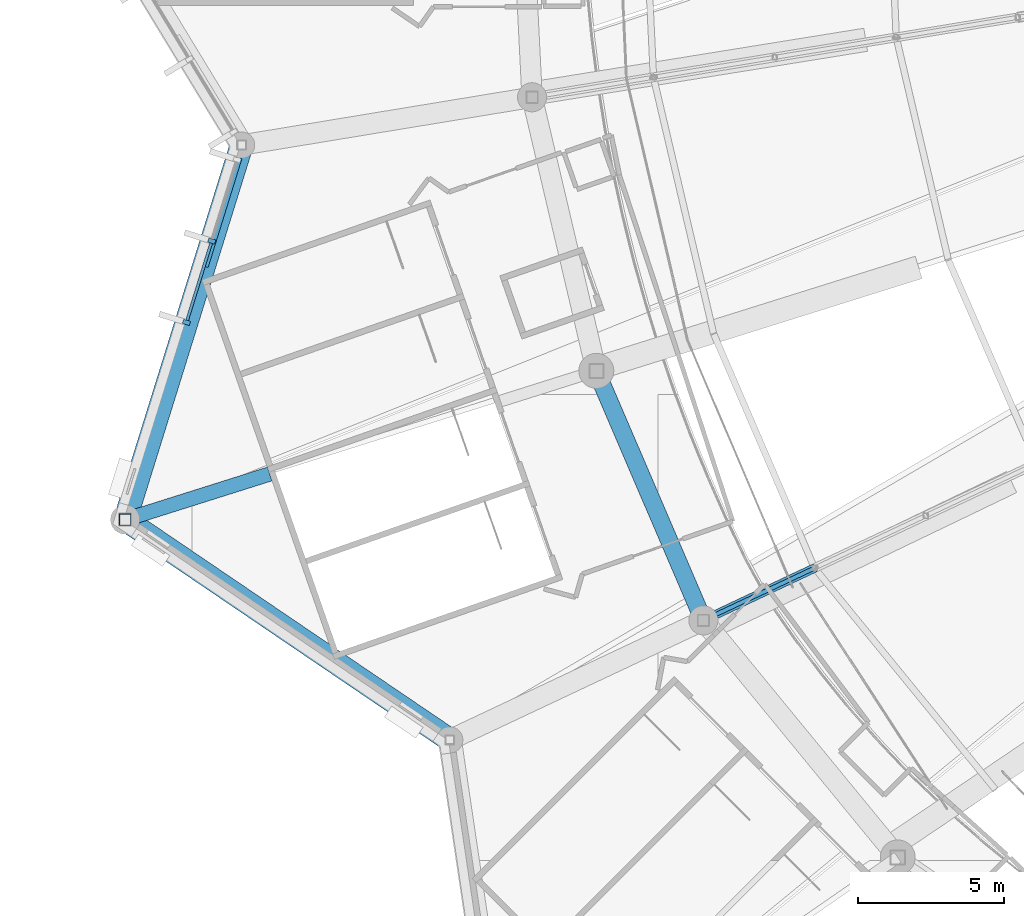
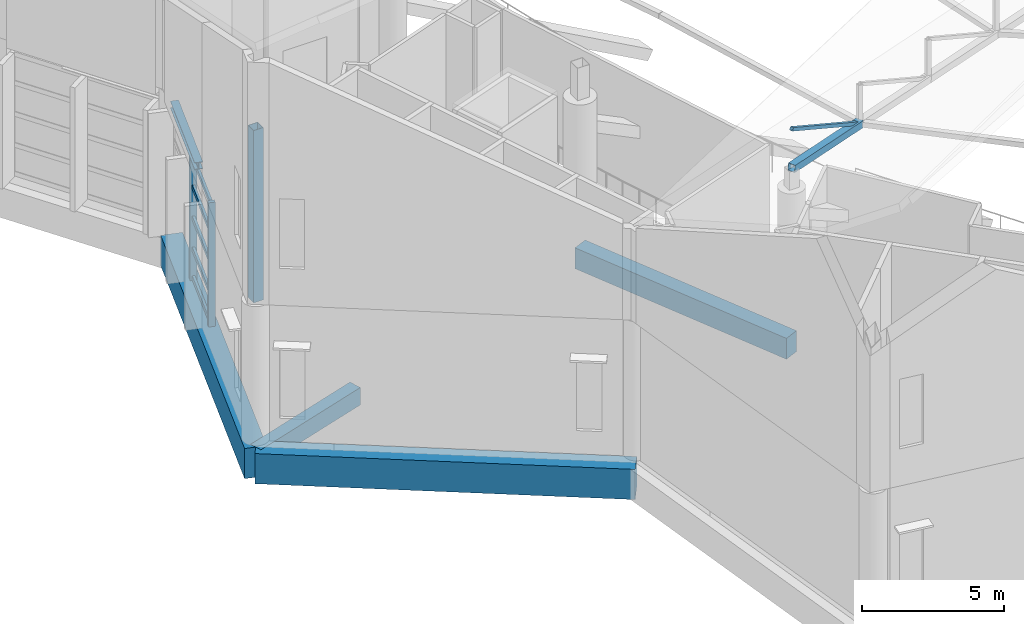
# One storey, part 14 of 344: 10 members, 5 beams, 1 element without a shape of its own.
"""IFC4 building model written with IfcOpenShell, lengths in metres."""

from ifc_helpers import new_model, si_unit, direction, frame, origin, origin_2d, place, context, subcontext, project, spatial, rectangle, hollow_rectangle, i_section, extrude, material, layer, layer_set, material_profile, profile_set, type_object, element, aggregate, save


model = new_model("IFC4")

# Units and contexts
model_context = context("Model", 3, precision=1e-05, world=origin(), true_north=direction((0.0, 1.0)))
body_context = subcontext(model_context, "Body", "Model", "MODEL_VIEW")
ifc_project = project(units=[si_unit("LENGTHUNIT", "METRE"), si_unit("AREAUNIT", "SQUARE_METRE"), si_unit("VOLUMEUNIT", "CUBIC_METRE"), si_unit("PLANEANGLEUNIT", "RADIAN"), si_unit("MASSUNIT", "GRAM", prefix="KILO")], contexts=[model_context])

# Site, building, storey
site_placement = place(None, origin())
site = spatial("IfcSite", under=ifc_project, at=site_placement, CompositionType="ELEMENT")
building_placement = place(site_placement, origin())
building = spatial("IfcBuilding", under=site, at=building_placement, Name="Meseta Stadium", CompositionType="ELEMENT")
storey_placement = place(building_placement, frame((0.0, 0.0, 24.0)))
storey = spatial("IfcBuildingStorey", under=building, at=storey_placement, Name="L04", CompositionType="ELEMENT", Elevation=24.0)

# Beam
ifc_material_1 = material(Name="Steel S355", Category="steel")
ifc_material_profile_1 = material_profile(ifc_material_1, i_section(OverallWidth=0.300048828125, OverallDepth=0.300048828125, WebThickness=0.010986328125, FlangeThickness=0.01904296875, FilletRadius=0.027099609375, at=origin_2d()), Name="HEB 300")
ifc_profile_set_1 = profile_set([ifc_material_profile_1], Name="Steel S355")
beam_type_1 = type_object("IfcBeamType", Name="Atrium lintel beam HEB 300", PredefinedType="BEAM", material=ifc_profile_set_1)
beam_1_placement = place(storey_placement, frame((-94.427978515625, -55.87109375, 5.5), z_axis=(-0.296855994895, -0.954922257723, 0.0), x_axis=(0.954922257723, -0.296855994895, 0.0)))
element("IfcBeam", 1, at=beam_1_placement, inside=storey, type_object=beam_type_1, Name="Atrium lintel beam F37", PredefinedType="BEAM", context=body_context, shape_type="SweptSolid", body=[
    extrude(i_section(OverallWidth=0.300048828125, OverallDepth=0.300048828125, WebThickness=0.010986328125, FlangeThickness=0.01904296875, FilletRadius=0.027099609375, at=origin_2d()), origin(), (0.0, 0.0, 1.0), 3.89990234375),
])

# Curtain wall, members
ifc_material_2 = material(Name="Steel S355", Category="steel")
ifc_layer = layer(ifc_material_2, 0.300048828125)
ifc_layer_set = layer_set([ifc_layer], Name="Valley atrium curtain wall")
curtain_wall_type = type_object("IfcCurtainWallType", Name="Valley atrium curtain wall", PredefinedType="NOTDEFINED", material=ifc_layer_set)
curtain_wall_placement = place(storey_placement, origin())
curtain_wall = element("IfcCurtainWall", 2, at=curtain_wall_placement, inside=storey, type_object=curtain_wall_type, Name="Valley atrium glazing F37", PredefinedType="NOTDEFINED")
ifc_material_3 = material(Name="Steel S355", Category="steel")
ifc_material_profile_2 = material_profile(ifc_material_3, rectangle(XDim=0.25, YDim=0.14990234375, at=origin_2d()), Name="CW 250x150")
ifc_profile_set_2 = profile_set([ifc_material_profile_2], Name="Steel S355")
member_type_1 = type_object("IfcMemberType", Name="CW mullion bar 250x150", PredefinedType="MULLION", material=ifc_profile_set_2)
member_1_placement = place(storey_placement, frame((-95.318603515625, -58.73583984375, 0.0), z_axis=(0.0, 0.0, 1.0), x_axis=(0.95491821847, -0.296868987995, 0.0)))
member_1 = element("IfcMember", 3, at=member_1_placement, type_object=member_type_1, Name="CWA mullion 2", PredefinedType="MULLION", context=body_context, shape_type="SweptSolid", body=[
    extrude(rectangle(XDim=0.25, YDim=0.14990234375, at=origin_2d()), origin(), (0.0, 0.0, 1.0), 5.35009765625),
])
member_2_placement = place(storey_placement, frame((-96.18701171875, -61.529052734375, 0.0), z_axis=(0.0, 0.0, 1.0), x_axis=(0.95491821847, -0.296868987995, 0.0)))
member_2 = element("IfcMember", 4, at=member_2_placement, type_object=member_type_1, Name="CWA mullion 3", PredefinedType="MULLION", context=body_context, shape_type="SweptSolid", body=[
    extrude(rectangle(XDim=0.25, YDim=0.14990234375, at=origin_2d()), origin(), (0.0, 0.0, 1.0), 5.35009765625),
])
ifc_material_4 = material(Name="Steel S355", Category="steel")
ifc_material_profile_3 = material_profile(ifc_material_4, hollow_rectangle(XDim=0.10009765625, YDim=0.199951171875, WallThickness=0.008056640625, at=origin_2d()), Name="RHS 200x100x8")
ifc_profile_set_3 = profile_set([ifc_material_profile_3], Name="Steel S355")
member_type_2 = type_object("IfcMemberType", Name="CW transom RHS 200x100x8", PredefinedType="USERDEFINED", material=ifc_profile_set_3)
member_3_placement = place(storey_placement, frame((-95.3408203125, -58.807373046875, 0.10009765625), z_axis=(-0.296841941866, -0.954926626265, 0.0), x_axis=(0.954926626265, -0.296841941866, 0.0)))
member_3 = element("IfcMember", 5, at=member_3_placement, type_object=member_type_2, Name="CWA transom 2.1", ObjectType="TRANSOM", PredefinedType="USERDEFINED", context=body_context, shape_type="SweptSolid", body=[
    extrude(hollow_rectangle(XDim=0.10009765625, YDim=0.199951171875, WallThickness=0.008056640625, at=origin_2d()), origin(), (0.0, 0.0, 1.0), 2.77490234375),
])
member_4_placement = place(storey_placement, frame((-95.3408203125, -58.807373046875, 1.33740234375), z_axis=(-0.296841941866, -0.954926626265, 0.0), x_axis=(0.954926626265, -0.296841941866, 0.0)))
member_4 = element("IfcMember", 6, at=member_4_placement, type_object=member_type_2, Name="CWA transom 2.2", ObjectType="TRANSOM", PredefinedType="USERDEFINED", context=body_context, shape_type="SweptSolid", body=[
    extrude(hollow_rectangle(XDim=0.10009765625, YDim=0.199951171875, WallThickness=0.008056640625, at=origin_2d()), origin(), (0.0, 0.0, 1.0), 2.77490234375),
])
member_5_placement = place(storey_placement, frame((-95.3408203125, -58.807373046875, 2.675048828125), z_axis=(-0.296841941866, -0.954926626265, 0.0), x_axis=(0.954926626265, -0.296841941866, 0.0)))
member_5 = element("IfcMember", 7, at=member_5_placement, type_object=member_type_2, Name="CWA transom 2.3", ObjectType="TRANSOM", PredefinedType="USERDEFINED", context=body_context, shape_type="SweptSolid", body=[
    extrude(hollow_rectangle(XDim=0.10009765625, YDim=0.199951171875, WallThickness=0.008056640625, at=origin_2d()), origin(), (0.0, 0.0, 1.0), 2.77490234375),
])
member_6_placement = place(storey_placement, frame((-95.3408203125, -58.807373046875, 4.012451171875), z_axis=(-0.296841941866, -0.954926626265, 0.0), x_axis=(0.954926626265, -0.296841941866, 0.0)))
member_6 = element("IfcMember", 8, at=member_6_placement, type_object=member_type_2, Name="CWA transom 2.4", ObjectType="TRANSOM", PredefinedType="USERDEFINED", context=body_context, shape_type="SweptSolid", body=[
    extrude(hollow_rectangle(XDim=0.10009765625, YDim=0.199951171875, WallThickness=0.008056640625, at=origin_2d()), origin(), (0.0, 0.0, 1.0), 2.77490234375),
])
member_7_placement = place(storey_placement, frame((-95.3408203125, -58.807373046875, 5.25), z_axis=(-0.296841941866, -0.954926626265, 0.0), x_axis=(0.954926626265, -0.296841941866, 0.0)))
member_7 = element("IfcMember", 9, at=member_7_placement, type_object=member_type_2, Name="CWA transom 2.5", ObjectType="TRANSOM", PredefinedType="USERDEFINED", context=body_context, shape_type="SweptSolid", body=[
    extrude(hollow_rectangle(XDim=0.10009765625, YDim=0.199951171875, WallThickness=0.008056640625, at=origin_2d()), origin(), (0.0, 0.0, 1.0), 2.77490234375),
])
aggregate(curtain_wall, [member_1, member_2, member_3, member_4, member_5, member_6, member_7])

# Beams
ifc_material_5 = material(Name="Concrete C40/50", Category="concrete")
ifc_material_profile_4 = material_profile(ifc_material_5, rectangle(XDim=0.5, YDim=0.75, at=origin_2d()), Name="RC 500x750")
ifc_profile_set_4 = profile_set([ifc_material_profile_4], Name="Concrete C40/50")
beam_type_2 = type_object("IfcBeamType", Name="RC beam 500x750", PredefinedType="BEAM", material=ifc_profile_set_4)
beam_2_placement = place(storey_placement, frame((-93.330078125, -66.73095703125, -0.77490234375), z_axis=(-0.953580537384, -0.301138105728, 0.0), x_axis=(0.301138105728, -0.953580537384, 0.0)))
element("IfcBeam", 10, at=beam_2_placement, inside=storey, type_object=beam_type_2, Name="L04 radial beam frame 38 line P to R", PredefinedType="BEAM", context=body_context, shape_type="SweptSolid", body=[
    extrude(rectangle(XDim=0.5, YDim=0.75, at=origin_2d()), origin(), (0.0, 0.0, 1.0), 5.202392578125),
])
ifc_material_6 = material(Name="Concrete C40/50", Category="concrete")
ifc_material_profile_5 = material_profile(ifc_material_6, rectangle(XDim=0.60009765625, YDim=0.89990234375, at=origin_2d()), Name="RC 600x900")
ifc_profile_set_5 = profile_set([ifc_material_profile_5], Name="Concrete C40/50")
beam_type_3 = type_object("IfcBeamType", Name="RC beam 600x900", PredefinedType="BEAM", material=ifc_profile_set_5)
beam_3_placement = place(storey_placement, frame((-82.119873046875, -63.191162109375, -0.85009765625), z_axis=(0.394270200779, -0.918994564063, 0.0), x_axis=(0.918994564063, 0.394270200779, 0.0)))
element("IfcBeam", 11, at=beam_3_placement, inside=storey, type_object=beam_type_3, Name="L04 ring beam frame 38 line P", PredefinedType="BEAM", context=body_context, shape_type="SweptSolid", body=[
    extrude(rectangle(XDim=0.60009765625, YDim=0.89990234375, at=origin_2d()), origin(), (0.0, 0.0, 1.0), 9.31982421875),
])
ifc_material_7 = material(Name="Concrete C40/50", Category="concrete")
ifc_material_profile_6 = material_profile(ifc_material_7, rectangle(XDim=0.800048828125, YDim=1.300048828125, at=origin_2d()), Name="RC 800x1300")
ifc_profile_set_6 = profile_set([ifc_material_profile_6], Name="Concrete C40/50")
beam_type_4 = type_object("IfcBeamType", Name="RC beam 800x1300", PredefinedType="BEAM", material=ifc_profile_set_6)
beam_4_placement = place(storey_placement, frame((-94.29443359375, -55.44140625, -1.050048828125), z_axis=(-0.296854913016, -0.954922594045, 0.0), x_axis=(0.954922594045, -0.296854913016, 0.0)))
element("IfcBeam", 12, at=beam_4_placement, inside=storey, type_object=beam_type_4, Name="L04 ring beam frame 37 line R", PredefinedType="BEAM", context=body_context, shape_type="SweptSolid", body=[
    extrude(rectangle(XDim=0.800048828125, YDim=1.300048828125, at=origin_2d()), origin(), (0.0, 0.0, 1.0), 13.463134765625),
])
beam_5_placement = place(storey_placement, frame((-98.291015625, -68.297607421875, -1.050048828125), z_axis=(0.827486005705, -0.561486340317, 0.0), x_axis=(0.561486340317, 0.827486005705, 0.0)))
element("IfcBeam", 13, at=beam_5_placement, inside=storey, type_object=beam_type_4, Name="L04 ring beam frame 38 line R", PredefinedType="BEAM", context=body_context, shape_type="SweptSolid", body=[
    extrude(rectangle(XDim=0.800048828125, YDim=1.300048828125, at=origin_2d()), origin(), (0.0, 0.0, 1.0), 13.462646484375),
])

# Members
ifc_material_8 = material(Name="Steel S355", Category="steel")
ifc_material_profile_7 = material_profile(ifc_material_8, hollow_rectangle(XDim=0.139892578125, YDim=0.139892578125, WallThickness=0.0048828125, at=origin_2d()), Name="SHS 140x140x5")
ifc_profile_set_7 = profile_set([ifc_material_profile_7], Name="Steel S355")
member_type_3 = type_object("IfcMemberType", Name="SHS 140x140x5 diagonal", PredefinedType="BRACE", material=ifc_profile_set_7)
member_8_placement = place(storey_placement, frame((-74.630126953125, -69.958740234375, 6.298583984375), z_axis=(-0.804671329976, -0.379086858084, 0.456943327715), x_axis=(0.426181724525, -0.904637572556, 0.0)))
element("IfcMember", 14, at=member_8_placement, inside=storey, type_object=member_type_3, Name="ROOF TRUSS RT-39 diagonal", PredefinedType="BRACE", context=body_context, shape_type="SweptSolid", body=[
    extrude(hollow_rectangle(XDim=0.139892578125, YDim=0.139892578125, WallThickness=0.0048828125, at=origin_2d()), origin(), (0.0, 0.0, 1.0), 4.7412109375),
])
ifc_material_9 = material(Name="Steel S355", Category="steel")
ifc_material_profile_8 = material_profile(ifc_material_9, hollow_rectangle(XDim=0.300048828125, YDim=0.300048828125, WallThickness=0.010009765625, at=origin_2d()), Name="SHS 300x300x10")
ifc_profile_set_8 = profile_set([ifc_material_profile_8], Name="Steel S355")
member_type_4 = type_object("IfcMemberType", Name="SHS 300x300x10 bottom chord", PredefinedType="CHORD", material=ifc_profile_set_8)
member_9_placement = place(storey_placement, frame((-74.630126953125, -69.958740234375, 6.298583984375), z_axis=(-0.898670254409, -0.423370475009, 0.114670025423), x_axis=(0.426181724525, -0.904637572556, 0.0)))
element("IfcMember", 15, at=member_9_placement, inside=storey, type_object=member_type_4, Name="ROOF TRUSS RT-39 bottom chord", PredefinedType="CHORD", context=body_context, shape_type="SweptSolid", body=[
    extrude(hollow_rectangle(XDim=0.300048828125, YDim=0.300048828125, WallThickness=0.010009765625, at=origin_2d()), origin(), (0.0, 0.0, 1.0), 4.245361328125),
])
ifc_material_10 = material(Name="Steel S355", Category="steel")
ifc_material_profile_9 = material_profile(ifc_material_10, hollow_rectangle(XDim=0.39990234375, YDim=0.39990234375, WallThickness=0.01416015625, at=origin_2d()), Name="SHS 400x400x14.2")
ifc_profile_set_9 = profile_set([ifc_material_profile_9], Name="Steel S355")
member_type_5 = type_object("IfcMemberType", Name="SHS 400x400x14.2 rim post", PredefinedType="POST", material=ifc_profile_set_9)
member_10_placement = place(storey_placement, frame((-98.291015625, -68.29736328125, 6.0), z_axis=(0.0, 0.0, 1.0), x_axis=(1.0, 0.0, 0.0)))
element("IfcMember", 16, at=member_10_placement, inside=storey, type_object=member_type_5, Name="ROOF RIM POST RT-38", PredefinedType="POST", context=body_context, shape_type="SweptSolid", body=[
    extrude(hollow_rectangle(XDim=0.39990234375, YDim=0.39990234375, WallThickness=0.01416015625, at=origin_2d()), origin(), (0.0, 0.0, 1.0), 7.424560546875),
])

save(model, "model.ifc")
